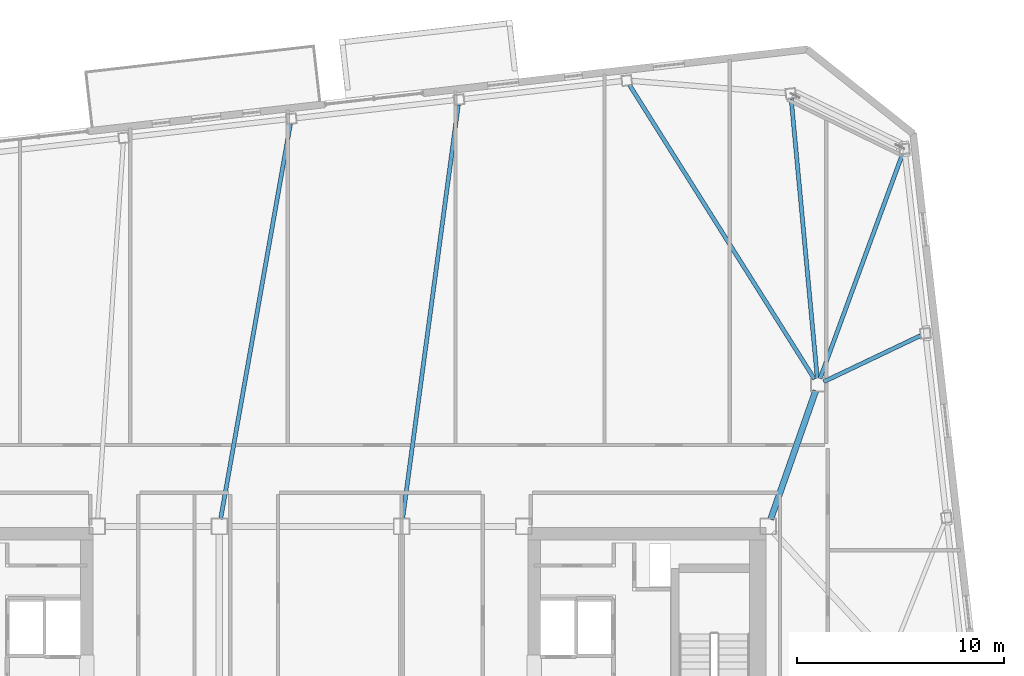
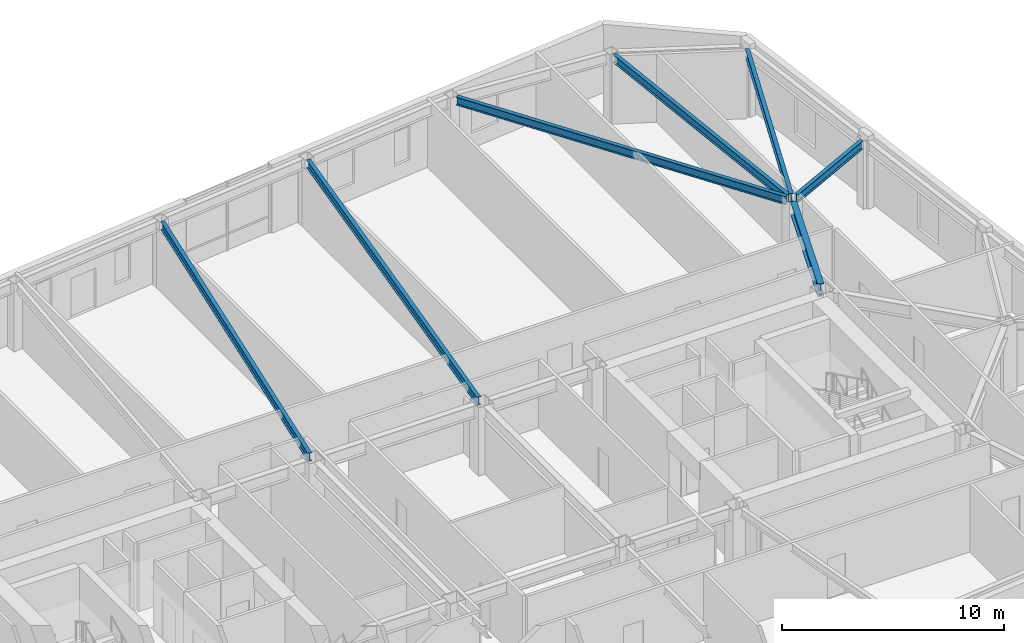
# One storey, part 9 of 20: 7 beams.
"""IFC4 building model written with IfcOpenShell, lengths in metres."""

from ifc_helpers import new_model, si_unit, direction, frame, origin, origin_2d, place, context, subcontext, project, spatial, i_section, extrude, material, material_profile, profile_set, type_object, element, save


model = new_model("IFC4")

# Units and contexts
model_context = context("Model", 3, precision=1e-05, world=origin(), true_north=direction((0.0, 1.0)))
body_context = subcontext(model_context, "Body", "Model", "MODEL_VIEW")
ifc_project = project(units=[si_unit("LENGTHUNIT", "METRE"), si_unit("AREAUNIT", "SQUARE_METRE"), si_unit("VOLUMEUNIT", "CUBIC_METRE"), si_unit("PLANEANGLEUNIT", "RADIAN"), si_unit("MASSUNIT", "GRAM", prefix="KILO")], contexts=[model_context])

# Site, building, storey
site_placement = place(None, origin())
site = spatial("IfcSite", under=ifc_project, at=site_placement, CompositionType="ELEMENT")
building_placement = place(site_placement, origin())
building = spatial("IfcBuilding", under=site, at=building_placement, Name="Tavrogorsk Clinical Tower", CompositionType="ELEMENT")
storey_placement = place(building_placement, frame((0.0, 0.0, 251.0)))
storey = spatial("IfcBuildingStorey", under=building, at=storey_placement, Name="L58", CompositionType="ELEMENT", Elevation=251.0)

# Beams
ifc_material_1 = material(Name="Structural steel S355", Category="steel")
ifc_material_profile_1 = material_profile(ifc_material_1, i_section(OverallWidth=0.199951171875, OverallDepth=0.449951171875, WebThickness=0.011474609375, FlangeThickness=0.01806640625, at=origin_2d()), Name="B-450x200x11.5x18")
ifc_profile_set_1 = profile_set([ifc_material_profile_1], Name="Structural steel S355")
beam_type_1 = type_object("IfcBeamType", Name="FloorBeam_B450", PredefinedType="BEAM", material=ifc_profile_set_1)
beam_1_placement = place(storey_placement, frame((24.47119140625, 13.508544921875, 3.514892578125), z_axis=(-0.092940409745, 0.99567167291, 0.0), x_axis=(-0.99567167291, -0.092940409745, 0.0)))
element("IfcBeam", 1, at=beam_1_placement, inside=storey, type_object=beam_type_1, Name="L58 Radial Floor Beam N1", PredefinedType="BEAM", context=body_context, shape_type="SweptSolid", body=[
    extrude(i_section(OverallWidth=0.199951171875, OverallDepth=0.449951171875, WebThickness=0.011474609375, FlangeThickness=0.01806640625, at=origin_2d()), origin(), (0.0, 0.0, 1.0), 13.546630859375),
])
beam_2_placement = place(storey_placement, frame((24.3349609375, 13.46240234375, 3.514892578125), z_axis=(-0.53234144439, 0.84652973166, 0.0), x_axis=(-0.84652973166, -0.53234144439, 0.0)))
element("IfcBeam", 2, at=beam_2_placement, inside=storey, type_object=beam_type_1, Name="L58 Radial Floor Beam N2", PredefinedType="BEAM", context=body_context, shape_type="SweptSolid", body=[
    extrude(i_section(OverallWidth=0.199951171875, OverallDepth=0.449951171875, WebThickness=0.011474609375, FlangeThickness=0.01806640625, at=origin_2d()), origin(), (0.0, 0.0, 1.0), 16.7734375),
])
beam_3_placement = place(storey_placement, frame((4.447998046875, 6.706787109375, 3.514892578125), z_axis=(0.133328812355, 0.991071858039, 0.0), x_axis=(-0.991071858039, 0.133328812355, 0.0)))
element("IfcBeam", 3, at=beam_3_placement, inside=storey, type_object=beam_type_1, Name="L58 Radial Floor Beam N3", PredefinedType="BEAM", context=body_context, shape_type="SweptSolid", body=[
    extrude(i_section(OverallWidth=0.199951171875, OverallDepth=0.449951171875, WebThickness=0.011474609375, FlangeThickness=0.01806640625, at=origin_2d()), origin(), (0.0, 0.0, 1.0), 20.17529296875),
])
beam_4_placement = place(storey_placement, frame((-4.33740234375, 6.70458984375, 3.514892578125), z_axis=(0.173894614236, 0.984764267802, 0.0), x_axis=(-0.984764267802, 0.173894614236, 0.0)))
element("IfcBeam", 4, at=beam_4_placement, inside=storey, type_object=beam_type_1, Name="L58 Radial Floor Beam N4", PredefinedType="BEAM", context=body_context, shape_type="SweptSolid", body=[
    extrude(i_section(OverallWidth=0.199951171875, OverallDepth=0.449951171875, WebThickness=0.011474609375, FlangeThickness=0.01806640625, at=origin_2d()), origin(), (0.0, 0.0, 1.0), 19.371826171875),
])
beam_5_placement = place(storey_placement, frame((24.77978515625, 13.333251953125, 3.514892578125), z_axis=(0.90270896244, 0.43025170439, 0.0), x_axis=(-0.43025170439, 0.90270896244, 0.0)))
element("IfcBeam", 5, at=beam_5_placement, inside=storey, type_object=beam_type_1, Name="L58 Radial Floor Beam E4", PredefinedType="BEAM", context=body_context, shape_type="SweptSolid", body=[
    extrude(i_section(OverallWidth=0.199951171875, OverallDepth=0.449951171875, WebThickness=0.011474609375, FlangeThickness=0.01806640625, at=origin_2d()), origin(), (0.0, 0.0, 1.0), 5.182861328125),
])
beam_6_placement = place(storey_placement, frame((24.60693359375, 13.490966796875, 3.514892578125), z_axis=(0.34467380093, 0.938722520744, 0.0), x_axis=(-0.938722520744, 0.34467380093, 0.0)))
element("IfcBeam", 6, at=beam_6_placement, inside=storey, type_object=beam_type_1, Name="L58 Radial Floor Beam E5", PredefinedType="BEAM", context=body_context, shape_type="SweptSolid", body=[
    extrude(i_section(OverallWidth=0.199951171875, OverallDepth=0.449951171875, WebThickness=0.011474609375, FlangeThickness=0.01806640625, at=origin_2d()), origin(), (0.0, 0.0, 1.0), 11.55126953125),
])
ifc_material_2 = material(Name="Structural steel S390", Category="steel")
ifc_material_profile_2 = material_profile(ifc_material_2, i_section(OverallWidth=0.300048828125, OverallDepth=0.699951171875, WebThickness=0.01708984375, FlangeThickness=0.028076171875, at=origin_2d()), Name="B-700x300x17x28")
ifc_profile_set_2 = profile_set([ifc_material_profile_2], Name="Structural steel S390")
beam_type_2 = type_object("IfcBeamType", Name="PrimaryGirder_B700", PredefinedType="USERDEFINED", material=ifc_profile_set_2)
beam_7_placement = place(storey_placement, frame((24.3974609375, 12.907470703125, 3.389892578125), z_axis=(-0.330654121425, -0.943752007672, 0.0), x_axis=(0.943752007672, -0.330654121425, 0.0)))
element("IfcBeam", 7, at=beam_7_placement, inside=storey, type_object=beam_type_2, Name="L58 Spine Link Girder OPG-4", ObjectType="GIRDER", PredefinedType="USERDEFINED", context=body_context, shape_type="SweptSolid", body=[
    extrude(i_section(OverallWidth=0.300048828125, OverallDepth=0.699951171875, WebThickness=0.01708984375, FlangeThickness=0.028076171875, at=origin_2d()), origin(), (0.0, 0.0, 1.0), 6.58837890625),
])

save(model, "model.ifc")
